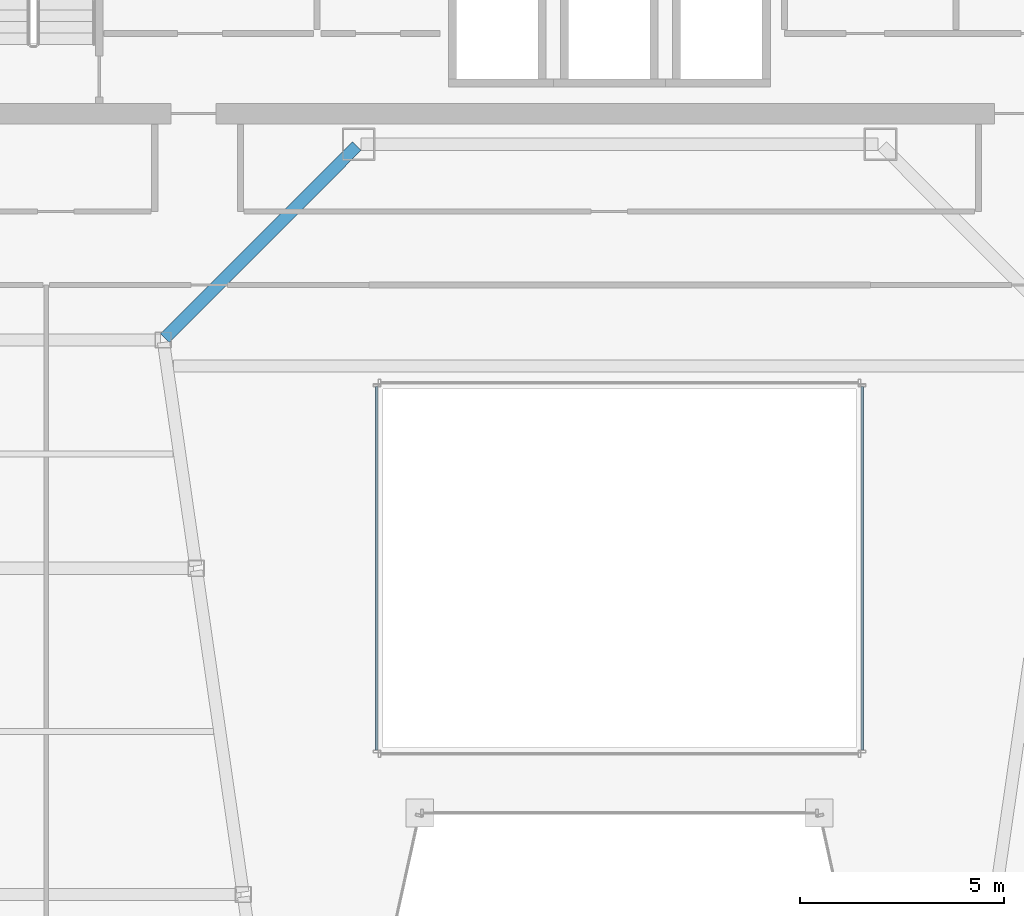
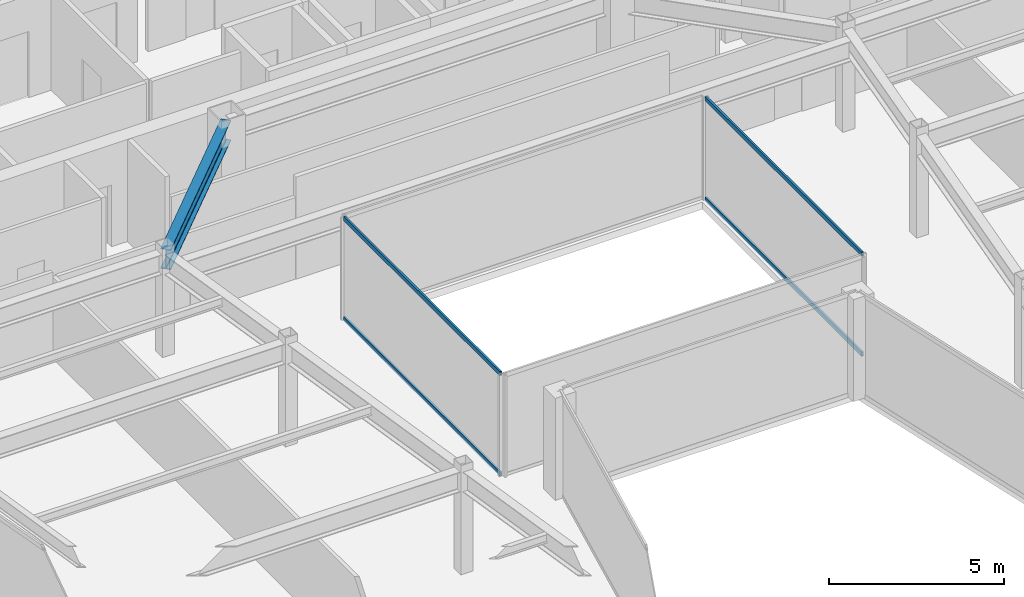
# One storey, part 12 of 35: 4 members, 1 beam, 2 elements without a shape of their own.
"""IFC4 building model written with IfcOpenShell, lengths in metres."""

from ifc_helpers import new_model, si_unit, direction, frame, origin, origin_2d, place, context, subcontext, project, spatial, hollow_rectangle, i_section, extrude, material, material_profile, profile_set, type_object, element, aggregate, save


model = new_model("IFC4")

# Units and contexts
model_context = context("Model", 3, precision=1e-05, world=origin(), true_north=direction((0.0, 1.0)))
body_context = subcontext(model_context, "Body", "Model", "MODEL_VIEW")
ifc_project = project(units=[si_unit("LENGTHUNIT", "METRE"), si_unit("AREAUNIT", "SQUARE_METRE"), si_unit("VOLUMEUNIT", "CUBIC_METRE"), si_unit("PLANEANGLEUNIT", "RADIAN"), si_unit("MASSUNIT", "GRAM", prefix="KILO")], contexts=[model_context])

# Site, building, storey
site_placement = place(None, origin())
site = spatial("IfcSite", under=ifc_project, at=site_placement, CompositionType="ELEMENT")
building_placement = place(site_placement, origin())
building = spatial("IfcBuilding", under=site, at=building_placement, Name="Saevonmaru Cultural Tower", CompositionType="ELEMENT")
storey_placement = place(building_placement, frame((0.0, 0.0, 217.0)))
storey = spatial("IfcBuildingStorey", under=building, at=storey_placement, Name="L50", CompositionType="ELEMENT", Elevation=217.0)

# Beam
ifc_material_1 = material(Name="Steel SM355", Category="steel")
ifc_material_profile_1 = material_profile(ifc_material_1, i_section(OverallWidth=0.300048828125, OverallDepth=0.699951171875, WebThickness=0.012939453125, FlangeThickness=0.02392578125, FilletRadius=0.02587890625, at=origin_2d()), Name="H-700x300x13x24")
ifc_profile_set_1 = profile_set([ifc_material_profile_1], Name="Steel SM355")
beam_type = type_object("IfcBeamType", Name="BM-G-H700", PredefinedType="BEAM", material=ifc_profile_set_1)
beam_placement = place(storey_placement, frame((18.850341796875, 37.642578125, 3.199951171875), z_axis=(0.706538566564, 0.707674539572, 0.0), x_axis=(-0.707674539572, 0.706538566564, 0.0)))
element("IfcBeam", 1, at=beam_placement, inside=storey, type_object=beam_type, Name="L50 West Atrium Girder 4", PredefinedType="BEAM", context=body_context, shape_type="SweptSolid", body=[
    extrude(i_section(OverallWidth=0.300048828125, OverallDepth=0.699951171875, WebThickness=0.012939453125, FlangeThickness=0.02392578125, FilletRadius=0.02587890625, at=origin_2d()), origin(), (0.0, 0.0, 1.0), 6.662353515625),
])

# Curtain wall, members
ifc_material_2 = material(Name="Satin Bronze Anodised Aluminium", Category="aluminium")
curtain_wall_type = type_object("IfcCurtainWallType", Name="CW-ATR-GLZ", PredefinedType="NOTDEFINED", material=ifc_material_2)
curtain_wall_1_placement = place(storey_placement, origin())
curtain_wall_1 = element("IfcCurtainWall", 2, at=curtain_wall_1_placement, inside=storey, type_object=curtain_wall_type, Name="L50 Vertical Atrium Glazed Smoke Screen 2", PredefinedType="NOTDEFINED")
ifc_material_profile_2 = material_profile(ifc_material_2, hollow_rectangle(XDim=0.06494140625, YDim=0.14990234375, WallThickness=0.00390625, at=origin_2d()), Name="ALU-TRAN-150x65x4")
ifc_profile_set_2 = profile_set([ifc_material_profile_2], Name="Satin Bronze Anodised Aluminium")
member_type = type_object("IfcMemberType", Name="TR-CW-INT-150x65", PredefinedType="USERDEFINED", material=ifc_profile_set_2)
member_1_placement = place(storey_placement, frame((35.949951171875, 27.54248046875, 0.032470703125), z_axis=(0.0, 1.0, 0.0), x_axis=(-1.0, 0.0, 0.0)))
member_1 = element("IfcMember", 3, at=member_1_placement, type_object=member_type, Name="CW-ATR-L50-2 transom 1.1", ObjectType="TRANSOM", PredefinedType="USERDEFINED", context=body_context, shape_type="SweptSolid", body=[
    extrude(hollow_rectangle(XDim=0.06494140625, YDim=0.14990234375, WallThickness=0.00390625, at=origin_2d()), origin(), (0.0, 0.0, 1.0), 8.9150390625),
])
member_2_placement = place(storey_placement, frame((35.949951171875, 27.54248046875, 3.517578125), z_axis=(0.0, 1.0, 0.0), x_axis=(-1.0, 0.0, 0.0)))
member_2 = element("IfcMember", 4, at=member_2_placement, type_object=member_type, Name="CW-ATR-L50-2 transom 1.2", ObjectType="TRANSOM", PredefinedType="USERDEFINED", context=body_context, shape_type="SweptSolid", body=[
    extrude(hollow_rectangle(XDim=0.06494140625, YDim=0.14990234375, WallThickness=0.00390625, at=origin_2d()), origin(), (0.0, 0.0, 1.0), 8.9150390625),
])
aggregate(curtain_wall_1, [member_1, member_2])

curtain_wall_2_placement = place(storey_placement, origin())
curtain_wall_2 = element("IfcCurtainWall", 5, at=curtain_wall_2_placement, inside=storey, type_object=curtain_wall_type, Name="L50 Vertical Atrium Glazed Smoke Screen 4", PredefinedType="NOTDEFINED")
member_3_placement = place(storey_placement, frame((24.050048828125, 36.45751953125, 0.032470703125), z_axis=(0.0, -1.0, 0.0), x_axis=(1.0, 0.0, 0.0)))
member_3 = element("IfcMember", 6, at=member_3_placement, type_object=member_type, Name="CW-ATR-L50-4 transom 1.1", ObjectType="TRANSOM", PredefinedType="USERDEFINED", context=body_context, shape_type="SweptSolid", body=[
    extrude(hollow_rectangle(XDim=0.06494140625, YDim=0.14990234375, WallThickness=0.00390625, at=origin_2d()), origin(), (0.0, 0.0, 1.0), 8.9150390625),
])
member_4_placement = place(storey_placement, frame((24.050048828125, 36.45751953125, 3.517578125), z_axis=(0.0, -1.0, 0.0), x_axis=(1.0, 0.0, 0.0)))
member_4 = element("IfcMember", 7, at=member_4_placement, type_object=member_type, Name="CW-ATR-L50-4 transom 1.2", ObjectType="TRANSOM", PredefinedType="USERDEFINED", context=body_context, shape_type="SweptSolid", body=[
    extrude(hollow_rectangle(XDim=0.06494140625, YDim=0.14990234375, WallThickness=0.00390625, at=origin_2d()), origin(), (0.0, 0.0, 1.0), 8.9150390625),
])
aggregate(curtain_wall_2, [member_3, member_4])

save(model, "model.ifc")
